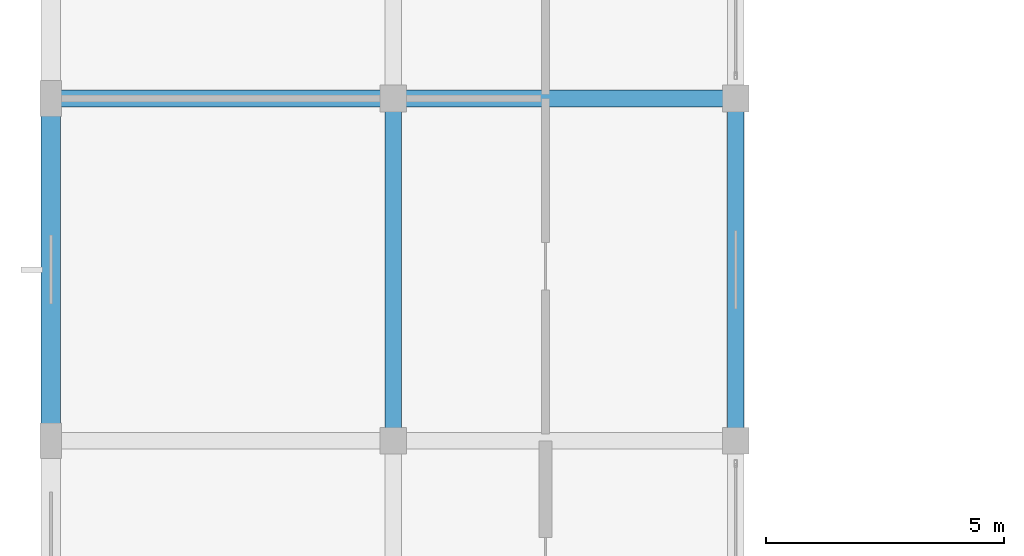
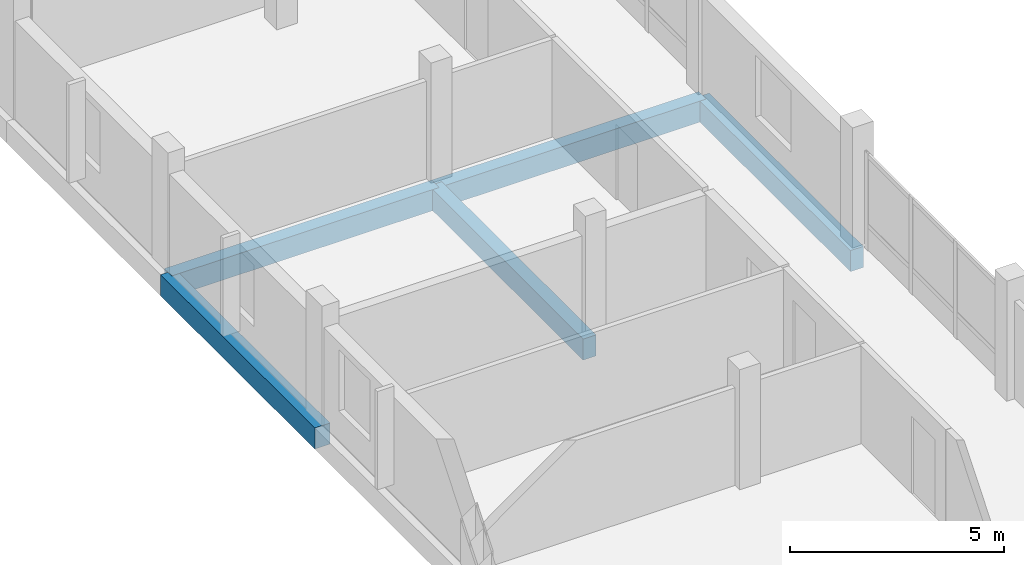
# One storey, part 9 of 66: 5 beams.
"""IFC4 building model written with IfcOpenShell, lengths in metres."""

import ifcopenshell
import ifcopenshell.guid

model = None  # the IFC model being written
_history = None  # IfcOwnerHistory: only IFC2X3 demands one
_inside = {}  # id of a spatial element -> (the spatial element, [elements in it])
_under = {}  # id of a project, library or spatial element -> (it, [spatial elements below it])
_declared = {}  # id of a project -> (the project, [libraries it declares])
_typed = {}  # id of a type object -> (the type object, [elements of that type])
_made_of = {}  # id of a material, layer set ... -> (it, [elements and type objects made of it])


def new_model(schema):
    """Start an empty IFC model of exactly this schema.

    Asked for "IFC4X3", IfcOpenShell would pick the latest addendum, in which some entities
    have other attributes; the version numbers below select the first issue.
    IFC2X3 requires an IfcOwnerHistory on every rooted entity: one is made here for all.
    """
    global model, _history
    if schema == "IFC4X3":
        model = ifcopenshell.file(schema_version=(4, 3, 0, 0))
    else:
        model = ifcopenshell.file(schema=schema)
    _inside.clear()
    _under.clear()
    _declared.clear()
    _typed.clear()
    _made_of.clear()
    _history = None
    if model.schema == "IFC2X3":
        org = make("IfcOrganization", Name="unknown")
        user = make(
            "IfcPersonAndOrganization",
            ThePerson=make("IfcPerson", FamilyName="unknown"),
            TheOrganization=org,
        )
        app = make(
            "IfcApplication",
            ApplicationDeveloper=org,
            Version="unknown",
            ApplicationFullName="unknown",
            ApplicationIdentifier="unknown",
        )
        _history = make(
            "IfcOwnerHistory",
            OwningUser=user,
            OwningApplication=app,
            ChangeAction="ADDED",
            CreationDate=0,
        )
    return model


def make(cls, **values):
    """One entity of the class cls with the attributes given. An attribute that is None is left unset."""
    return model.create_entity(
        cls, **{name: value for name, value in values.items() if value is not None}
    )


def rooted(cls, **values):
    """An entity with a GlobalId (a new one), such as an element, a storey or a relation."""
    return make(cls, GlobalId=ifcopenshell.guid.new(), OwnerHistory=_history, **values)


def si_unit(unit_type, name, prefix=None):
    """IfcSIUnit, for example si_unit("LENGTHUNIT", "METRE", prefix="MILLI")."""
    return make("IfcSIUnit", UnitType=unit_type, Prefix=prefix, Name=name)


def assignment(units):
    """IfcUnitAssignment: the units of a project."""
    return None if units is None else make("IfcUnitAssignment", Units=units)


def point(xyz):
    """IfcCartesianPoint."""
    return None if xyz is None else make("IfcCartesianPoint", Coordinates=xyz)


def direction(xyz):
    """IfcDirection."""
    return None if xyz is None else make("IfcDirection", DirectionRatios=xyz)


def frame(location, z_axis=None, x_axis=None):
    """IfcAxis2Placement3D, a coordinate frame: its origin and axes. An axis left out is left unset."""
    return make(
        "IfcAxis2Placement3D",
        Location=point(location),
        Axis=direction(z_axis),
        RefDirection=direction(x_axis),
    )


def frame_2d(location, x_axis=None):
    """IfcAxis2Placement2D, a coordinate frame in the plane: its origin and x axis."""
    return make(
        "IfcAxis2Placement2D", Location=point(location), RefDirection=direction(x_axis)
    )


def origin():
    """The frame at (0, 0, 0) with its axes left unset."""
    return frame((0.0, 0.0, 0.0))


def origin_2d():
    """The frame at (0, 0) in the plane with its x axis left unset."""
    return frame_2d((0.0, 0.0))


def place(relative_to, where):
    """IfcLocalPlacement: puts the frame where relative to a parent placement (None: the world)."""
    return make(
        "IfcLocalPlacement", PlacementRelTo=relative_to, RelativePlacement=where
    )


def context(
    kind, dimensions, precision=None, world=None, true_north=None, identifier=None
):
    """IfcGeometricRepresentationContext, for example the 3D "Model" context."""
    return make(
        "IfcGeometricRepresentationContext",
        ContextIdentifier=identifier,
        ContextType=kind,
        CoordinateSpaceDimension=dimensions,
        Precision=precision,
        WorldCoordinateSystem=world,
        TrueNorth=true_north,
    )


def subcontext(parent, identifier, kind, view, scale=None):
    """IfcGeometricRepresentationSubContext, for example "Body" below "Model"."""
    return make(
        "IfcGeometricRepresentationSubContext",
        ContextIdentifier=identifier,
        ContextType=kind,
        ParentContext=parent,
        TargetScale=scale,
        TargetView=view,
    )


def project(units=None, contexts=None):
    """IfcProject with its units and contexts."""
    return rooted(
        "IfcProject",
        Name="project",
        RepresentationContexts=contexts,
        UnitsInContext=assignment(units),
    )


def spatial(cls, under=None, at=None, **own):
    """A site, building, storey or space (cls), placed at a placement, below another one or the project."""
    s = rooted(cls, ObjectPlacement=at, **own)
    if under is not None:
        _under.setdefault(under.id(), (under, []))[1].append(s)
    return s


def profile(cls, at=None, kind="AREA", **sizes):
    """A parametric profile (cls). Its sizes go by their IFC names, for example OverallWidth=200.0."""
    return make(cls, ProfileType=kind, Position=at, **sizes)


def rectangle(**sizes):
    """IfcRectangleProfileDef."""
    return profile("IfcRectangleProfileDef", **sizes)


def extrude(swept, where, along, depth):
    """IfcExtrudedAreaSolid: the profile swept, set in the frame where, extruded along a direction by depth."""
    return make(
        "IfcExtrudedAreaSolid",
        SweptArea=swept,
        Position=where,
        ExtrudedDirection=direction(along),
        Depth=depth,
    )


def shape(context_of_items, identifier, shape_type, items):
    """IfcShapeRepresentation: the items that make up one representation, for example the "Body"."""
    return make(
        "IfcShapeRepresentation",
        ContextOfItems=context_of_items,
        RepresentationIdentifier=identifier,
        RepresentationType=shape_type,
        Items=items,
    )


def material(Name=None, Category=None):
    """IfcMaterial."""
    return make("IfcMaterial", Name=Name, Category=Category)


def material_profile(
    of_material, cross_section, Name=None, Category=None, Priority=None
):
    """IfcMaterialProfile: a cross section and its material."""
    return make(
        "IfcMaterialProfile",
        Name=Name,
        Material=of_material,
        Profile=cross_section,
        Priority=Priority,
        Category=Category,
    )


def profile_set(profiles, Name=None, composite=None):
    """IfcMaterialProfileSet."""
    return make(
        "IfcMaterialProfileSet",
        Name=Name,
        MaterialProfiles=profiles,
        CompositeProfile=composite,
    )


def made_of(thing, what):
    """Note that an element or type object is made of a material, layer set ...; save() writes the relation."""
    if what is not None:
        _made_of.setdefault(what.id(), (what, []))[1].append(thing)
    return thing


def type_object(cls, material=None, **own):
    """A type object (cls), such as IfcWallType, which elements share."""
    return made_of(rooted(cls, **own), material)


def element(
    cls,
    number,
    at=None,
    inside=None,
    cuts=None,
    type_object=None,
    material=None,
    context=None,
    identifier="Body",
    shape_type=None,
    held_by="IfcProductDefinitionShape",
    body=None,
    shapes=None,
    **own,
):
    """One element of the class cls, such as IfcWall. Its Tag is "e" and its number.

    at: its placement. inside: the storey or other place that contains it. cuts: it is an
    opening in that element (IfcRelVoidsElement). A single representation is given by context,
    identifier, shape_type and body (its items); several are given by shapes. held_by: the class
    of the entity that holds the representations. save() writes the other relations.
    """
    e = rooted(cls, Tag="e%d" % number, ObjectPlacement=at, **own)
    if body is not None:
        shapes = [shape(context, identifier, shape_type, body)]
    if shapes is not None:
        e.Representation = make(held_by, Representations=shapes)
    if inside is not None:
        _inside.setdefault(inside.id(), (inside, []))[1].append(e)
    if cuts is not None:
        rooted(
            "IfcRelVoidsElement", RelatingBuildingElement=cuts, RelatedOpeningElement=e
        )
    if type_object is not None:
        _typed.setdefault(type_object.id(), (type_object, []))[1].append(e)
    return made_of(e, material)


def aggregate(whole, parts):
    """IfcRelAggregates: a whole, such as a stair, and the parts it consists of."""
    return rooted("IfcRelAggregates", RelatingObject=whole, RelatedObjects=parts)


def save(model, path):
    """Write the relations noted so far, then the file.

    IfcRelAggregates (storeys below a building ...), IfcRelContainedInSpatialStructure (elements
    in a storey), IfcRelDefinesByType, IfcRelAssociatesMaterial and IfcRelDeclares: one each for
    every whole, place, type object, material and project.
    """
    for whole, parts in _under.values():
        aggregate(whole, parts)
    for where, things in _inside.values():
        rooted(
            "IfcRelContainedInSpatialStructure",
            RelatedElements=things,
            RelatingStructure=where,
        )
    for kind, things in _typed.values():
        rooted("IfcRelDefinesByType", RelatedObjects=things, RelatingType=kind)
    for what, things in _made_of.values():
        rooted("IfcRelAssociatesMaterial", RelatedObjects=things, RelatingMaterial=what)
    for by, libraries in _declared.values():
        rooted("IfcRelDeclares", RelatingContext=by, RelatedDefinitions=libraries)
    model.write(path)


model = new_model("IFC4")

# Units and contexts
model_context = context("Model", 3, precision=1e-05, world=origin(), true_north=direction((0.0, 1.0)))
body_context = subcontext(model_context, "Body", "Model", "MODEL_VIEW")
ifc_project = project(units=[si_unit("LENGTHUNIT", "METRE"), si_unit("AREAUNIT", "SQUARE_METRE"), si_unit("VOLUMEUNIT", "CUBIC_METRE"), si_unit("PLANEANGLEUNIT", "RADIAN"), si_unit("MASSUNIT", "GRAM", prefix="KILO")], contexts=[model_context])

# Site, building, storey
site_placement = place(None, origin())
site = spatial("IfcSite", under=ifc_project, at=site_placement, CompositionType="ELEMENT")
building_placement = place(site_placement, origin())
building = spatial("IfcBuilding", under=site, at=building_placement, Name="Zornivar Specialist Clinic", CompositionType="ELEMENT")
storey_placement = place(building_placement, frame((0.0, 0.0, 16.0)))
storey = spatial("IfcBuildingStorey", under=building, at=storey_placement, Name="L04", CompositionType="ELEMENT", Elevation=16.0)

# Beams
ifc_material_1 = material(Name="Concrete C30/37", Category="concrete")
ifc_material_profile_1 = material_profile(ifc_material_1, rectangle(XDim=0.35009765625, YDim=0.60009765625, at=origin_2d()), Name="RC 350x600")
ifc_profile_set_1 = profile_set([ifc_material_profile_1], Name="Concrete C30/37")
beam_type_1 = type_object("IfcBeamType", Name="BM-RC-350x600", PredefinedType="BEAM", material=ifc_profile_set_1)
for number, where, z_axis, x_axis, name in (
    (1, (0.0, 28.800048828125, -0.580078125), (1.0, 0.0, 0.0), (0.0, 1.0, 0.0), "bm:V2:L04:x:288:0"),
    (2, (7.199951171875, 28.800048828125, -0.580078125), (1.0, 0.0, 0.0), (0.0, 1.0, 0.0), "bm:V2:L04:x:288:1"),
    (3, (7.199951171875, 21.60009765625, -0.580078125), (0.0, 1.0, 0.0), (-1.0, 0.0, 0.0), "bm:V2:L04:y:72:3"),
    (4, (14.39990234375, 21.60009765625, -0.580078125), (0.0, 1.0, 0.0), (-1.0, 0.0, 0.0), "bm:V2:L04:y:144:3"),
):
    element("IfcBeam", number, at=place(storey_placement, frame(where, z_axis=z_axis, x_axis=x_axis)), inside=storey, type_object=beam_type_1, Name=name, PredefinedType="BEAM", context=body_context, shape_type="SweptSolid", body=[
        extrude(rectangle(XDim=0.35009765625, YDim=0.60009765625, at=origin_2d()), origin(), (0.0, 0.0, 1.0), 7.199951171875),
    ])
ifc_material_2 = material(Name="Concrete C30/37", Category="concrete")
ifc_material_profile_2 = material_profile(ifc_material_2, rectangle(XDim=0.409912109375, YDim=0.60009765625, at=origin_2d()), Name="RC 410x600")
ifc_profile_set_2 = profile_set([ifc_material_profile_2], Name="Concrete C30/37")
beam_type_2 = type_object("IfcBeamType", Name="BM-RC-SPANDREL-410x600", PredefinedType="SPANDREL", material=ifc_profile_set_2)
beam_placement = place(storey_placement, frame((0.0, 21.60009765625, -0.580078125), z_axis=(0.0, 1.0, 0.0), x_axis=(-1.0, 0.0, 0.0)))
element("IfcBeam", 5, at=beam_placement, inside=storey, type_object=beam_type_2, Name="bm:V2:L04:y:0:3", PredefinedType="SPANDREL", context=body_context, shape_type="SweptSolid", body=[
    extrude(rectangle(XDim=0.409912109375, YDim=0.60009765625, at=origin_2d()), origin(), (0.0, 0.0, 1.0), 7.199951171875),
])

save(model, "model.ifc")
